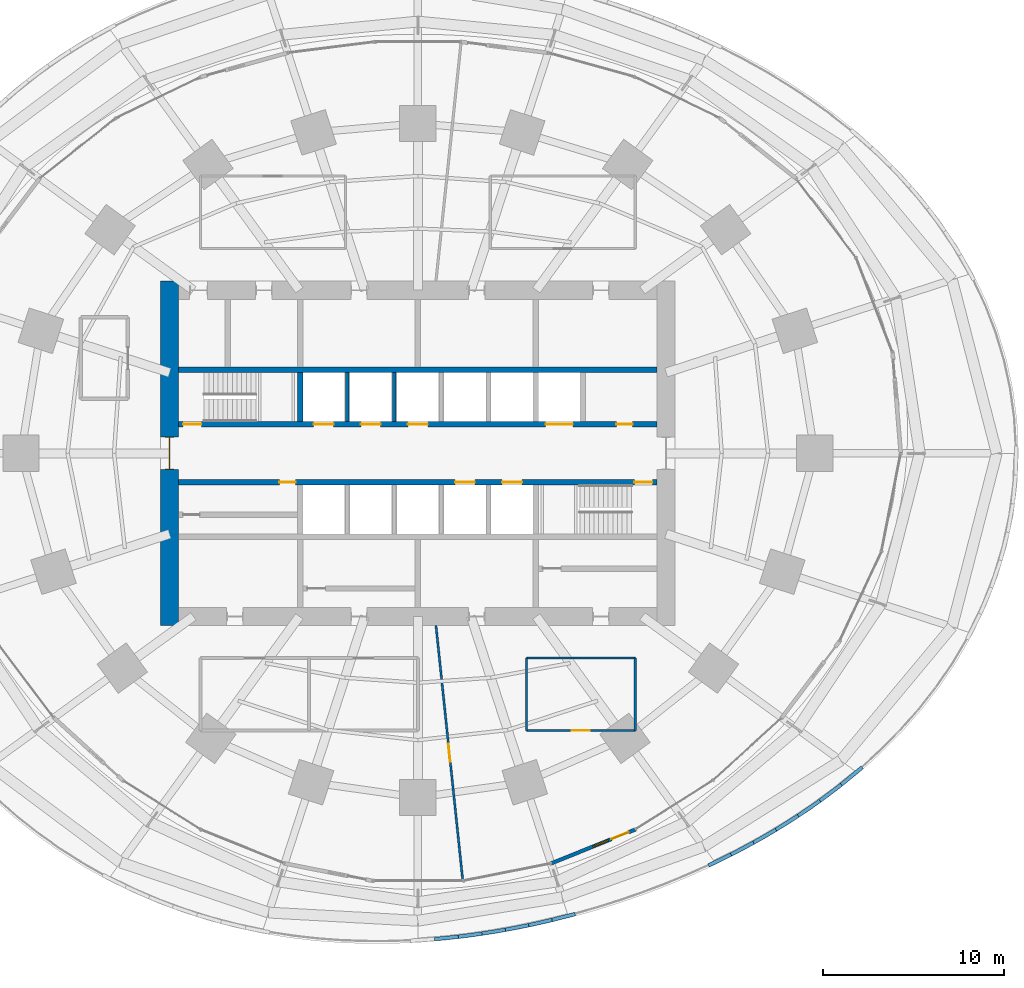
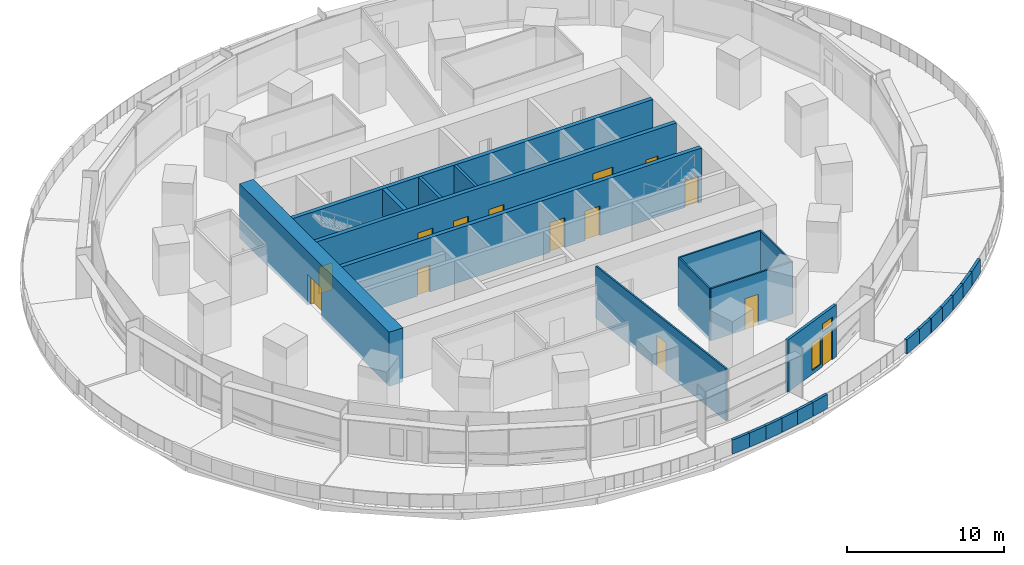
# One storey, part 13 of 20: 26 walls, 14 doors, 2 windows, 16 openings.
"""IFC4 building model written with IfcOpenShell, lengths in metres."""

from ifc_helpers import new_model, si_unit, direction, frame, frame_2d, origin, place, context, subcontext, project, spatial, rectangle, extrude, material, layer, layer_set, type_object, element, fill, save


model = new_model("IFC4")

# Units and contexts
model_context = context("Model", 3, precision=1e-05, world=origin(), true_north=direction((0.0, 1.0)))
body_context = subcontext(model_context, "Body", "Model", "MODEL_VIEW")
ifc_project = project(units=[si_unit("LENGTHUNIT", "METRE"), si_unit("AREAUNIT", "SQUARE_METRE"), si_unit("VOLUMEUNIT", "CUBIC_METRE"), si_unit("PLANEANGLEUNIT", "RADIAN"), si_unit("MASSUNIT", "GRAM", prefix="KILO")], contexts=[model_context])

# Site, building, storey
site_placement = place(None, origin())
site = spatial("IfcSite", under=ifc_project, at=site_placement, CompositionType="ELEMENT")
building_placement = place(site_placement, origin())
building = spatial("IfcBuilding", under=site, at=building_placement, Name="Marramba Exchange Tower", CompositionType="ELEMENT")
storey_placement = place(building_placement, frame((0.0, 0.0, 19.60009765625)))
storey = spatial("IfcBuildingStorey", under=building, at=storey_placement, Name="L04", CompositionType="ELEMENT", Elevation=19.60009765625)

# Walls
ifc_material_1 = material(Name="Concrete N50", Category="concrete")
ifc_layer_1 = layer(ifc_material_1, 0.199951171875)
ifc_layer_set_1 = layer_set([ifc_layer_1], Name="Core shaft wall 200")
wall_type_1 = type_object("IfcWallType", Name="Core shaft wall 200", PredefinedType="SHEAR", material=ifc_layer_set_1)
for number, where, z_axis, x_axis, name in (
    (1, (-3.89990234375, 1.75, 0.0), (0.0, 0.0, 1.0), (0.0, 1.0, 0.0), "Core wall SHN1 L04"),
    (2, (-1.300048828125, 1.75, 0.0), (0.0, 0.0, 1.0), (0.0, 1.0, 0.0), "Core wall SHN2 L04"),
):
    element("IfcWall", number, at=place(storey_placement, frame(where, z_axis=z_axis, x_axis=x_axis)), inside=storey, type_object=wall_type_1, Name=name, PredefinedType="SHEAR", context=body_context, shape_type="SweptSolid", body=[
        extrude(rectangle(XDim=2.699951171875, YDim=0.199951171875, at=frame_2d((1.35009765625, 0.0))), origin(), (0.0, 0.0, 1.0), 4.199951171875),
    ])

# Wall, opening, door
ifc_layer_2 = layer(ifc_material_1, 1.0)
ifc_layer_set_2 = layer_set([ifc_layer_2], Name="Core wall 1000")
wall_type_2 = type_object("IfcWallType", Name="Core wall 1000", PredefinedType="SHEAR", material=ifc_layer_set_2)
wall_1_placement = place(storey_placement, frame((-13.699951171875, 9.5, 0.0), z_axis=(0.0, 0.0, 1.0), x_axis=(0.0, -1.0, 0.0)))
wall_1 = element("IfcWall", 3, at=wall_1_placement, inside=storey, type_object=wall_type_2, Name="Core wall W L04", PredefinedType="SHEAR", context=body_context, shape_type="SweptSolid", body=[
    extrude(rectangle(XDim=19.0, YDim=1.0, at=frame_2d((9.5, 0.0))), origin(), (0.0, 0.0, 1.0), 4.199951171875),
])
opening_1_placement = place(wall_1_placement, frame((8.60009765625, 0.0, 0.0)))
opening_1 = element("IfcOpeningElement", 4, at=opening_1_placement, cuts=wall_1, Name="Opening D1", PredefinedType="OPENING", context=body_context, shape_type="SweptSolid", body=[
    extrude(rectangle(XDim=1.800048828125, YDim=2.39990234375, at=frame_2d((0.89990234375, 1.199951171875))), frame((0.0, 0.510009765625, 0.0), z_axis=(0.0, -1.0, 0.0), x_axis=(1.0, 0.0, 0.0)), (0.0, 0.0, 1.0), 1.02001953125),
])
ifc_material_2 = material(Name="Steel-framed door", Category="steel")
door_type_1 = type_object("IfcDoorType", Name="Lobby exit door 1800x2400", OperationType="DOUBLE_DOOR_SINGLE_SWING", PredefinedType="DOOR", material=ifc_material_2)
door_1_placement = place(opening_1_placement, origin())
door_1 = element("IfcDoor", 5, at=door_1_placement, inside=storey, type_object=door_type_1, Name="D1 lobby exit west L04", OperationType="DOUBLE_DOOR_SINGLE_SWING", OverallHeight=2.39990234375, OverallWidth=1.800048828125, PredefinedType="DOOR", context=body_context, shape_type="SweptSolid", body=[
    extrude(rectangle(XDim=1.719970703125, YDim=2.35986328125, at=frame_2d((0.89990234375, 1.179931640625))), frame((0.0, 0.02490234375, 0.0), z_axis=(0.0, -1.0, 0.0), x_axis=(1.0, 0.0, 0.0)), (0.0, 0.0, 1.0), 0.050048828125),
    extrude(rectangle(XDim=0.04, YDim=2.39990234375, at=frame_2d((0.02001953125, 1.199951171875))), frame((0.0, 0.25, 0.0), z_axis=(0.0, -1.0, 0.0), x_axis=(1.0, 0.0, 0.0)), (0.0, 0.0, 1.0), 0.5),
    extrude(rectangle(XDim=0.04, YDim=2.39990234375, at=frame_2d((1.780029296875, 1.199951171875))), frame((0.0, 0.25, 0.0), z_axis=(0.0, -1.0, 0.0), x_axis=(1.0, 0.0, 0.0)), (0.0, 0.0, 1.0), 0.5),
    extrude(rectangle(XDim=1.719970703125, YDim=0.04, at=frame_2d((0.89990234375, 2.3798828125))), frame((0.0, 0.25, 0.0), z_axis=(0.0, -1.0, 0.0), x_axis=(1.0, 0.0, 0.0)), (0.0, 0.0, 1.0), 0.5),
])
fill(opening_1, door_1)

# Wall, openings, doors
ifc_layer_3 = layer(ifc_material_1, 0.300048828125)
ifc_layer_set_3 = layer_set([ifc_layer_3], Name="Core wall 300")
wall_type_3 = type_object("IfcWallType", Name="Core wall 300", PredefinedType="SHEAR", material=ifc_layer_set_3)
wall_2_placement = place(storey_placement, frame((-13.199951171875, 1.60009765625, 0.0), z_axis=(0.0, 0.0, 1.0), x_axis=(1.0, 0.0, 0.0)))
wall_2 = element("IfcWall", 6, at=wall_2_placement, inside=storey, type_object=wall_type_3, Name="Core wall LN L04", PredefinedType="SHEAR", context=body_context, shape_type="SweptSolid", body=[
    extrude(rectangle(XDim=26.39990234375, YDim=0.300048828125, at=frame_2d((13.199951171875, 0.0))), origin(), (0.0, 0.0, 1.0), 4.199951171875),
])
opening_2_placement = place(wall_2_placement, frame((0.25, 0.0, 0.0)))
opening_2 = element("IfcOpeningElement", 7, at=opening_2_placement, cuts=wall_2, Name="Opening D2", PredefinedType="OPENING", context=body_context, shape_type="SweptSolid", body=[
    extrude(rectangle(XDim=1.0, YDim=2.10009765625, at=frame_2d((0.5, 1.050048828125))), frame((0.0, 0.159912109375, 0.0), z_axis=(0.0, -1.0, 0.0), x_axis=(1.0, 0.0, 0.0)), (0.0, 0.0, 1.0), 0.320068359375),
])
opening_3_placement = place(wall_2_placement, frame((20.25, 0.0, 0.0)))
opening_3 = element("IfcOpeningElement", 8, at=opening_3_placement, cuts=wall_2, Name="Opening LD3", PredefinedType="OPENING", context=body_context, shape_type="SweptSolid", body=[
    extrude(rectangle(XDim=1.5, YDim=2.39990234375, at=frame_2d((0.75, 1.199951171875))), frame((0.0, 0.159912109375, 0.0), z_axis=(0.0, -1.0, 0.0), x_axis=(1.0, 0.0, 0.0)), (0.0, 0.0, 1.0), 0.320068359375),
])
opening_4_placement = place(wall_2_placement, frame((7.449951171875, 0.0, 0.0)))
opening_4 = element("IfcOpeningElement", 9, at=opening_4_placement, cuts=wall_2, Name="Opening LD1", PredefinedType="OPENING", context=body_context, shape_type="SweptSolid", body=[
    extrude(rectangle(XDim=1.10009765625, YDim=2.300048828125, at=frame_2d((0.550048828125, 1.14990234375))), frame((0.0, 0.159912109375, 0.0), z_axis=(0.0, -1.0, 0.0), x_axis=(1.0, 0.0, 0.0)), (0.0, 0.0, 1.0), 0.320068359375),
])
opening_5_placement = place(wall_2_placement, frame((10.050048828125, 0.0, 0.0)))
opening_5 = element("IfcOpeningElement", 10, at=opening_5_placement, cuts=wall_2, Name="Opening LD1", PredefinedType="OPENING", context=body_context, shape_type="SweptSolid", body=[
    extrude(rectangle(XDim=1.10009765625, YDim=2.300048828125, at=frame_2d((0.550048828125, 1.14990234375))), frame((0.0, 0.159912109375, 0.0), z_axis=(0.0, -1.0, 0.0), x_axis=(1.0, 0.0, 0.0)), (0.0, 0.0, 1.0), 0.320068359375),
])
opening_6_placement = place(wall_2_placement, frame((12.64990234375, 0.0, 0.0)))
opening_6 = element("IfcOpeningElement", 11, at=opening_6_placement, cuts=wall_2, Name="Opening LD1", PredefinedType="OPENING", context=body_context, shape_type="SweptSolid", body=[
    extrude(rectangle(XDim=1.10009765625, YDim=2.300048828125, at=frame_2d((0.550048828125, 1.14990234375))), frame((0.0, 0.159912109375, 0.0), z_axis=(0.0, -1.0, 0.0), x_axis=(1.0, 0.0, 0.0)), (0.0, 0.0, 1.0), 0.320068359375),
])
opening_7_placement = place(wall_2_placement, frame((24.14990234375, 0.0, 0.0)))
opening_7 = element("IfcOpeningElement", 12, at=opening_7_placement, cuts=wall_2, Name="Opening D5", PredefinedType="OPENING", context=body_context, shape_type="SweptSolid", body=[
    extrude(rectangle(XDim=0.89990234375, YDim=2.10009765625, at=frame_2d((0.449951171875, 1.050048828125))), frame((0.0, 0.159912109375, 0.0), z_axis=(0.0, -1.0, 0.0), x_axis=(1.0, 0.0, 0.0)), (0.0, 0.0, 1.0), 0.320068359375),
])
door_type_2 = type_object("IfcDoorType", Name="Goods lift landing door 1500x2400", OperationType="SLIDING_TO_LEFT", PredefinedType="DOOR", material=ifc_material_2)
door_2_placement = place(opening_3_placement, origin())
door_2 = element("IfcDoor", 13, at=door_2_placement, inside=storey, type_object=door_type_2, Name="GL1 landing door L04", OperationType="SLIDING_TO_LEFT", OverallHeight=2.39990234375, OverallWidth=1.5, PredefinedType="DOOR", context=body_context, shape_type="SweptSolid", body=[
    extrude(rectangle(XDim=1.5, YDim=2.39990234375, at=frame_2d((0.75, 1.199951171875))), frame((0.0, 0.02490234375, 0.0), z_axis=(0.0, -1.0, 0.0), x_axis=(1.0, 0.0, 0.0)), (0.0, 0.0, 1.0), 0.050048828125),
])
fill(opening_3, door_2)
door_type_3 = type_object("IfcDoorType", Name="Lift landing door 1100x2300", OperationType="SLIDING_TO_LEFT", PredefinedType="DOOR", material=ifc_material_2)
door_3_placement = place(opening_4_placement, origin())
door_3 = element("IfcDoor", 14, at=door_3_placement, inside=storey, type_object=door_type_3, Name="LA1 landing door L04", OperationType="SLIDING_TO_LEFT", OverallHeight=2.300048828125, OverallWidth=1.10009765625, PredefinedType="DOOR", context=body_context, shape_type="SweptSolid", body=[
    extrude(rectangle(XDim=1.10009765625, YDim=2.300048828125, at=frame_2d((0.550048828125, 1.14990234375))), frame((0.0, 0.02490234375, 0.0), z_axis=(0.0, -1.0, 0.0), x_axis=(1.0, 0.0, 0.0)), (0.0, 0.0, 1.0), 0.050048828125),
])
fill(opening_4, door_3)
door_4_placement = place(opening_5_placement, origin())
door_4 = element("IfcDoor", 15, at=door_4_placement, inside=storey, type_object=door_type_3, Name="LA2 landing door L04", OperationType="SLIDING_TO_LEFT", OverallHeight=2.300048828125, OverallWidth=1.10009765625, PredefinedType="DOOR", context=body_context, shape_type="SweptSolid", body=[
    extrude(rectangle(XDim=1.10009765625, YDim=2.300048828125, at=frame_2d((0.550048828125, 1.14990234375))), frame((0.0, 0.02490234375, 0.0), z_axis=(0.0, -1.0, 0.0), x_axis=(1.0, 0.0, 0.0)), (0.0, 0.0, 1.0), 0.050048828125),
])
fill(opening_5, door_4)
door_5_placement = place(opening_6_placement, origin())
door_5 = element("IfcDoor", 16, at=door_5_placement, inside=storey, type_object=door_type_3, Name="LA3 landing door L04", OperationType="SLIDING_TO_RIGHT", OverallHeight=2.300048828125, OverallWidth=1.10009765625, PredefinedType="DOOR", context=body_context, shape_type="SweptSolid", body=[
    extrude(rectangle(XDim=1.10009765625, YDim=2.300048828125, at=frame_2d((0.550048828125, 1.14990234375))), frame((0.0, 0.02490234375, 0.0), z_axis=(0.0, -1.0, 0.0), x_axis=(1.0, 0.0, 0.0)), (0.0, 0.0, 1.0), 0.050048828125),
])
fill(opening_6, door_5)
door_type_4 = type_object("IfcDoorType", Name="Service door 900x2100", OperationType="SINGLE_SWING_LEFT", PredefinedType="DOOR", material=ifc_material_2)
door_6_placement = place(opening_7_placement, origin())
door_6 = element("IfcDoor", 17, at=door_6_placement, inside=storey, type_object=door_type_4, Name="D5 riser L04", OperationType="SINGLE_SWING_RIGHT", OverallHeight=2.10009765625, OverallWidth=0.89990234375, PredefinedType="DOOR", context=body_context, shape_type="SweptSolid", body=[
    extrude(rectangle(XDim=0.89990234375, YDim=2.10009765625, at=frame_2d((0.449951171875, 1.050048828125))), frame((0.0, 0.02490234375, 0.0), z_axis=(0.0, -1.0, 0.0), x_axis=(1.0, 0.0, 0.0)), (0.0, 0.0, 1.0), 0.050048828125),
])
fill(opening_7, door_6)
door_type_5 = type_object("IfcDoorType", Name="Stair door 1000x2100", OperationType="SINGLE_SWING_LEFT", PredefinedType="DOOR", material=ifc_material_2)
door_7_placement = place(opening_2_placement, origin())
door_7 = element("IfcDoor", 18, at=door_7_placement, inside=storey, type_object=door_type_5, Name="D2 stair ST1 L04", OperationType="SINGLE_SWING_LEFT", OverallHeight=2.10009765625, OverallWidth=1.0, PredefinedType="DOOR", context=body_context, shape_type="SweptSolid", body=[
    extrude(rectangle(XDim=1.0, YDim=2.10009765625, at=frame_2d((0.5, 1.050048828125))), frame((0.0, 0.02490234375, 0.0), z_axis=(0.0, -1.0, 0.0), x_axis=(1.0, 0.0, 0.0)), (0.0, 0.0, 1.0), 0.050048828125),
])
fill(opening_2, door_7)

wall_3_placement = place(storey_placement, frame((-13.199951171875, -1.60009765625, 0.0), z_axis=(0.0, 0.0, 1.0), x_axis=(1.0, 0.0, 0.0)))
wall_3 = element("IfcWall", 19, at=wall_3_placement, inside=storey, type_object=wall_type_3, Name="Core wall LS L04", PredefinedType="SHEAR", context=body_context, shape_type="SweptSolid", body=[
    extrude(rectangle(XDim=26.39990234375, YDim=0.300048828125, at=frame_2d((13.199951171875, 0.0))), origin(), (0.0, 0.0, 1.0), 4.199951171875),
])
opening_8_placement = place(wall_3_placement, frame((25.14990234375, 0.0, 0.0)))
opening_8 = element("IfcOpeningElement", 20, at=opening_8_placement, cuts=wall_3, Name="Opening D2", PredefinedType="OPENING", context=body_context, shape_type="SweptSolid", body=[
    extrude(rectangle(XDim=1.0, YDim=2.10009765625, at=frame_2d((0.5, 1.050048828125))), frame((0.0, 0.159912109375, 0.0), z_axis=(0.0, -1.0, 0.0), x_axis=(1.0, 0.0, 0.0)), (0.0, 0.0, 1.0), 0.320068359375),
])
opening_9_placement = place(wall_3_placement, frame((15.25, 0.0, 0.0)))
opening_9 = element("IfcOpeningElement", 21, at=opening_9_placement, cuts=wall_3, Name="Opening LD2", PredefinedType="OPENING", context=body_context, shape_type="SweptSolid", body=[
    extrude(rectangle(XDim=1.10009765625, YDim=2.300048828125, at=frame_2d((0.550048828125, 1.14990234375))), frame((0.0, 0.159912109375, 0.0), z_axis=(0.0, -1.0, 0.0), x_axis=(1.0, 0.0, 0.0)), (0.0, 0.0, 1.0), 0.320068359375),
])
opening_10_placement = place(wall_3_placement, frame((17.85009765625, 0.0, 0.0)))
opening_10 = element("IfcOpeningElement", 22, at=opening_10_placement, cuts=wall_3, Name="Opening LD2", PredefinedType="OPENING", context=body_context, shape_type="SweptSolid", body=[
    extrude(rectangle(XDim=1.10009765625, YDim=2.300048828125, at=frame_2d((0.550048828125, 1.14990234375))), frame((0.0, 0.159912109375, 0.0), z_axis=(0.0, -1.0, 0.0), x_axis=(1.0, 0.0, 0.0)), (0.0, 0.0, 1.0), 0.320068359375),
])
opening_11_placement = place(wall_3_placement, frame((5.550048828125, 0.0, 0.0)))
opening_11 = element("IfcOpeningElement", 23, at=opening_11_placement, cuts=wall_3, Name="Opening D5", PredefinedType="OPENING", context=body_context, shape_type="SweptSolid", body=[
    extrude(rectangle(XDim=0.89990234375, YDim=2.10009765625, at=frame_2d((0.449951171875, 1.050048828125))), frame((0.0, 0.159912109375, 0.0), z_axis=(0.0, -1.0, 0.0), x_axis=(1.0, 0.0, 0.0)), (0.0, 0.0, 1.0), 0.320068359375),
])
door_type_6 = type_object("IfcDoorType", Name="Emergency lift landing door 1100x2300", OperationType="SLIDING_TO_LEFT", PredefinedType="DOOR", material=ifc_material_2)
door_8_placement = place(opening_9_placement, frame((1.10009765625, 0.0, 0.0), z_axis=(0.0, 0.0, 1.0), x_axis=(-1.0, 0.0, 0.0)))
door_8 = element("IfcDoor", 24, at=door_8_placement, inside=storey, type_object=door_type_6, Name="FL1 landing door L04", OperationType="SLIDING_TO_RIGHT", OverallHeight=2.300048828125, OverallWidth=1.10009765625, PredefinedType="DOOR", context=body_context, shape_type="SweptSolid", body=[
    extrude(rectangle(XDim=1.10009765625, YDim=2.300048828125, at=frame_2d((0.550048828125, 1.14990234375))), frame((0.0, 0.025146484375, 0.0), z_axis=(0.0, -1.0, 0.0), x_axis=(1.0, 0.0, 0.0)), (0.0, 0.0, 1.0), 0.050048828125),
])
fill(opening_9, door_8)
door_9_placement = place(opening_10_placement, frame((1.10009765625, 0.0, 0.0), z_axis=(0.0, 0.0, 1.0), x_axis=(-1.0, 0.0, 0.0)))
door_9 = element("IfcDoor", 25, at=door_9_placement, inside=storey, type_object=door_type_6, Name="FL2 landing door L04", OperationType="SLIDING_TO_LEFT", OverallHeight=2.300048828125, OverallWidth=1.10009765625, PredefinedType="DOOR", context=body_context, shape_type="SweptSolid", body=[
    extrude(rectangle(XDim=1.10009765625, YDim=2.300048828125, at=frame_2d((0.550048828125, 1.14990234375))), frame((0.0, 0.025146484375, 0.0), z_axis=(0.0, -1.0, 0.0), x_axis=(1.0, 0.0, 0.0)), (0.0, 0.0, 1.0), 0.050048828125),
])
fill(opening_10, door_9)
door_10_placement = place(opening_11_placement, frame((0.89990234375, 0.0, 0.0), z_axis=(0.0, 0.0, 1.0), x_axis=(-1.0, 0.0, 0.0)))
door_10 = element("IfcDoor", 26, at=door_10_placement, inside=storey, type_object=door_type_4, Name="D5 electrical riser L04", OperationType="SINGLE_SWING_LEFT", OverallHeight=2.10009765625, OverallWidth=0.89990234375, PredefinedType="DOOR", context=body_context, shape_type="SweptSolid", body=[
    extrude(rectangle(XDim=0.89990234375, YDim=2.10009765625, at=frame_2d((0.449951171875, 1.050048828125))), frame((0.0, 0.025146484375, 0.0), z_axis=(0.0, -1.0, 0.0), x_axis=(1.0, 0.0, 0.0)), (0.0, 0.0, 1.0), 0.050048828125),
])
fill(opening_11, door_10)
door_11_placement = place(opening_8_placement, frame((1.0, 0.0, 0.0), z_axis=(0.0, 0.0, 1.0), x_axis=(-1.0, 0.0, 0.0)))
door_11 = element("IfcDoor", 27, at=door_11_placement, inside=storey, type_object=door_type_5, Name="D2 stair ST2 L04", OperationType="SINGLE_SWING_LEFT", OverallHeight=2.10009765625, OverallWidth=1.0, PredefinedType="DOOR", context=body_context, shape_type="SweptSolid", body=[
    extrude(rectangle(XDim=1.0, YDim=2.10009765625, at=frame_2d((0.5, 1.050048828125))), frame((0.0, 0.025146484375, 0.0), z_axis=(0.0, -1.0, 0.0), x_axis=(1.0, 0.0, 0.0)), (0.0, 0.0, 1.0), 0.050048828125),
])
fill(opening_8, door_11)

# Walls
wall_4_placement = place(storey_placement, frame((-13.199951171875, 4.60009765625, 0.0), z_axis=(0.0, 0.0, 1.0), x_axis=(1.0, 0.0, 0.0)))
element("IfcWall", 28, at=wall_4_placement, inside=storey, type_object=wall_type_3, Name="Core wall BN L04", PredefinedType="SHEAR", context=body_context, shape_type="SweptSolid", body=[
    extrude(rectangle(XDim=26.39990234375, YDim=0.300048828125, at=frame_2d((13.199951171875, 0.0))), origin(), (0.0, 0.0, 1.0), 4.199951171875),
])
wall_5_placement = place(storey_placement, frame((-6.5, 1.75, 0.0), z_axis=(0.0, 0.0, 1.0), x_axis=(0.0, 1.0, 0.0)))
element("IfcWall", 29, at=wall_5_placement, inside=storey, type_object=wall_type_3, Name="Core wall X0Na L04", PredefinedType="SHEAR", context=body_context, shape_type="SweptSolid", body=[
    extrude(rectangle(XDim=2.699951171875, YDim=0.300048828125, at=frame_2d((1.35009765625, 0.0))), origin(), (0.0, 0.0, 1.0), 4.199951171875),
])

# Wall, openings, door, windows
ifc_material_3 = material(Name="Aluminium-framed bronze cladding on steel studs", Category="steel")
ifc_layer_4 = layer(ifc_material_3, 0.199951171875)
ifc_layer_set_4 = layer_set([ifc_layer_4], Name="Door screen wall 200")
wall_type_4 = type_object("IfcWallType", Name="Door screen wall 200", PredefinedType="SOLIDWALL", material=ifc_layer_set_4)
wall_6_placement = place(storey_placement, frame((7.35498046875, -22.63623046875, 0.0), z_axis=(0.0, 0.0, 1.0), x_axis=(0.92734032011, 0.374219094513, 0.0)))
wall_6 = element("IfcWall", 30, at=wall_6_placement, inside=storey, type_object=wall_type_4, Name="Door screen L04 F25", PredefinedType="SOLIDWALL", context=body_context, shape_type="SweptSolid", body=[
    extrude(rectangle(XDim=4.997314453125, YDim=0.199951171875, at=frame_2d((2.49853515625, 0.0))), origin(), (0.0, 0.0, 1.0), 4.039794921875),
])
opening_12_placement = place(wall_6_placement, frame((3.597412109375, 0.0, 0.0)))
opening_12 = element("IfcOpeningElement", 31, at=opening_12_placement, cuts=wall_6, Name="Opening D6", PredefinedType="OPENING", context=body_context, shape_type="SweptSolid", body=[
    extrude(rectangle(XDim=1.0, YDim=2.39990234375, at=frame_2d((0.5, 1.199951171875))), frame((0.0, 0.10986328125, 0.0), z_axis=(0.0, -1.0, 0.0), x_axis=(1.0, 0.0, 0.0)), (0.0, 0.0, 1.0), 0.219970703125),
])
opening_13_placement = place(wall_6_placement, frame((2.49755859375, 0.0, 0.300048828125)))
opening_13 = element("IfcOpeningElement", 32, at=opening_13_placement, cuts=wall_6, Name="Opening W4", PredefinedType="OPENING", context=body_context, shape_type="SweptSolid", body=[
    extrude(rectangle(XDim=0.89990234375, YDim=2.10009765625, at=frame_2d((0.449951171875, 1.050048828125))), frame((0.0, 0.10986328125, 0.0), z_axis=(0.0, -1.0, 0.0), x_axis=(1.0, 0.0, 0.0)), (0.0, 0.0, 1.0), 0.219970703125),
])
opening_14_placement = place(wall_6_placement, frame((3.597412109375, 0.0, 2.699951171875)))
opening_14 = element("IfcOpeningElement", 33, at=opening_14_placement, cuts=wall_6, Name="Opening W5", PredefinedType="OPENING", context=body_context, shape_type="SweptSolid", body=[
    extrude(rectangle(XDim=1.0, YDim=0.60009765625, at=frame_2d((0.5, 0.300048828125))), frame((0.0, 0.10986328125, 0.0), z_axis=(0.0, -1.0, 0.0), x_axis=(1.0, 0.0, 0.0)), (0.0, 0.0, 1.0), 0.219970703125),
])
ifc_material_4 = material(Name="Aluminium-framed glazed door, bronze", Category="aluminium")
door_type_7 = type_object("IfcDoorType", Name="Terrace door 1000x2400", OperationType="SINGLE_SWING_LEFT", PredefinedType="DOOR", material=ifc_material_4)
door_12_placement = place(opening_12_placement, frame((1.0, 0.0, 0.0), z_axis=(0.0, 0.0, 1.0), x_axis=(-1.0, 0.0, 0.0)))
door_12 = element("IfcDoor", 34, at=door_12_placement, inside=storey, type_object=door_type_7, Name="D6 L04", OperationType="SINGLE_SWING_RIGHT", OverallHeight=2.39990234375, OverallWidth=1.0, PredefinedType="DOOR", context=body_context, shape_type="SweptSolid", body=[
    extrude(rectangle(XDim=1.0, YDim=2.39990234375, at=frame_2d((0.5, 1.199951171875))), frame((0.0, 0.025146484375, 0.0), z_axis=(0.0, -1.0, 0.0), x_axis=(1.0, 0.0, 0.0)), (0.0, 0.0, 1.0), 0.050048828125),
])
fill(opening_12, door_12)
ifc_material_5 = material(Name="Aluminium-framed fixed light, bronze, double glazed", Category="aluminium")
window_type_1 = type_object("IfcWindowType", Name="Terrace sidelight 900x2100", PartitioningType="SINGLE_PANEL", PredefinedType="WINDOW", material=ifc_material_5)
window_1_placement = place(opening_13_placement, origin())
window_1 = element("IfcWindow", 35, at=window_1_placement, inside=storey, type_object=window_type_1, Name="W4 L04 F25 left", OverallHeight=2.10009765625, OverallWidth=0.89990234375, PartitioningType="SINGLE_PANEL", PredefinedType="WINDOW", context=body_context, shape_type="SweptSolid", body=[
    extrude(rectangle(XDim=0.89990234375, YDim=2.10009765625, at=frame_2d((0.449951171875, 1.050048828125))), frame((0.0, 0.030029296875, 0.0), z_axis=(0.0, -1.0, 0.0), x_axis=(1.0, 0.0, 0.0)), (0.0, 0.0, 1.0), 0.06005859375),
])
fill(opening_13, window_1)
window_type_2 = type_object("IfcWindowType", Name="Terrace transom light 1000x600", PartitioningType="SINGLE_PANEL", PredefinedType="WINDOW", material=ifc_material_5)
window_2_placement = place(opening_14_placement, origin())
window_2 = element("IfcWindow", 36, at=window_2_placement, inside=storey, type_object=window_type_2, Name="W5 L04 F25 over the door", OverallHeight=0.60009765625, OverallWidth=1.0, PartitioningType="SINGLE_PANEL", PredefinedType="WINDOW", context=body_context, shape_type="SweptSolid", body=[
    extrude(rectangle(XDim=1.0, YDim=0.60009765625, at=frame_2d((0.5, 0.300048828125))), frame((0.0, 0.030029296875, 0.0), z_axis=(0.0, -1.0, 0.0), x_axis=(1.0, 0.0, 0.0)), (0.0, 0.0, 1.0), 0.06005859375),
])
fill(opening_14, window_2)

# Wall, opening, door
ifc_material_6 = material(Name="Plasterboard on steel studs", Category="steel")
ifc_layer_5 = layer(ifc_material_6, 0.1201171875)
ifc_layer_set_5 = layer_set([ifc_layer_5], Name="Partition 120")
wall_type_5 = type_object("IfcWallType", Name="Partition 120", PredefinedType="PARTITIONING", material=ifc_layer_set_5)
wall_7_placement = place(storey_placement, frame((2.47216796875, -23.5205078125, 0.0), z_axis=(0.0, 0.0, 1.0), x_axis=(-0.104529730385, 0.994521762188, 0.0)))
wall_7 = element("IfcWall", 37, at=wall_7_placement, inside=storey, type_object=wall_type_5, Name="Partition L04 06", PredefinedType="PARTITIONING", context=body_context, shape_type="SweptSolid", body=[
    extrude(rectangle(XDim=14.09765625, YDim=0.1201171875, at=frame_2d((7.048828125, 0.0))), origin(), (0.0, 0.0, 1.0), 4.039794921875),
])
opening_15_placement = place(wall_7_placement, frame((6.52392578125, 0.0, 0.0)))
opening_15 = element("IfcOpeningElement", 38, at=opening_15_placement, cuts=wall_7, Name="Opening D9", PredefinedType="OPENING", context=body_context, shape_type="SweptSolid", body=[
    extrude(rectangle(XDim=1.0, YDim=2.39990234375, at=frame_2d((0.5, 1.199951171875))), frame((0.0, 0.070068359375, 0.0), z_axis=(0.0, -1.0, 0.0), x_axis=(1.0, 0.0, 0.0)), (0.0, 0.0, 1.0), 0.14013671875),
])
ifc_material_7 = material(Name="Timber door", Category="wood")
door_type_8 = type_object("IfcDoorType", Name="Room door 1000x2400", OperationType="SINGLE_SWING_LEFT", PredefinedType="DOOR", material=ifc_material_7)
door_13_placement = place(opening_15_placement, frame((1.0, 0.0, 0.0), z_axis=(0.0, 0.0, 1.0), x_axis=(-1.0, 0.0, 0.0)))
door_13 = element("IfcDoor", 39, at=door_13_placement, inside=storey, type_object=door_type_8, Name="D9 Market Operations Office L04", OperationType="SINGLE_SWING_RIGHT", OverallHeight=2.39990234375, OverallWidth=1.0, PredefinedType="DOOR", context=body_context, shape_type="SweptSolid", body=[
    extrude(rectangle(XDim=1.0, YDim=2.39990234375, at=frame_2d((0.5, 1.199951171875))), frame((0.0, 0.025146484375, 0.0), z_axis=(0.0, -1.0, 0.0), x_axis=(1.0, 0.0, 0.0)), (0.0, 0.0, 1.0), 0.050048828125),
])
fill(opening_15, door_13)

# Wall
wall_8_placement = place(storey_placement, frame((6.0, -15.300048828125, 0.0), z_axis=(0.0, 0.0, 1.0), x_axis=(0.0, 1.0, 0.0)))
element("IfcWall", 40, at=wall_8_placement, inside=storey, type_object=wall_type_5, Name="Partition L04 07", PredefinedType="PARTITIONING", context=body_context, shape_type="SweptSolid", body=[
    extrude(rectangle(XDim=4.0, YDim=0.1201171875, at=frame_2d((2.0, 0.0))), origin(), (0.0, 0.0, 1.0), 4.039794921875),
])

# Wall, opening, door
wall_9_placement = place(storey_placement, frame((12.0, -15.300048828125, 0.0), z_axis=(0.0, 0.0, 1.0), x_axis=(-1.0, 0.0, 0.0)))
wall_9 = element("IfcWall", 41, at=wall_9_placement, inside=storey, type_object=wall_type_5, Name="Partition L04 08", PredefinedType="PARTITIONING", context=body_context, shape_type="SweptSolid", body=[
    extrude(rectangle(XDim=6.0, YDim=0.1201171875, at=frame_2d((3.0, 0.0))), origin(), (0.0, 0.0, 1.0), 4.039794921875),
])
opening_16_placement = place(wall_9_placement, frame((2.5, 0.0, 0.0)))
opening_16 = element("IfcOpeningElement", 42, at=opening_16_placement, cuts=wall_9, Name="Opening D9", PredefinedType="OPENING", context=body_context, shape_type="SweptSolid", body=[
    extrude(rectangle(XDim=1.0, YDim=2.39990234375, at=frame_2d((0.5, 1.199951171875))), frame((0.0, 0.070068359375, 0.0), z_axis=(0.0, -1.0, 0.0), x_axis=(1.0, 0.0, 0.0)), (0.0, 0.0, 1.0), 0.14013671875),
])
door_14_placement = place(opening_16_placement, frame((1.0, 0.0, 0.0), z_axis=(0.0, 0.0, 1.0), x_axis=(-1.0, 0.0, 0.0)))
door_14 = element("IfcDoor", 43, at=door_14_placement, inside=storey, type_object=door_type_8, Name="D9 Pantry L04", OperationType="SINGLE_SWING_RIGHT", OverallHeight=2.39990234375, OverallWidth=1.0, PredefinedType="DOOR", context=body_context, shape_type="SweptSolid", body=[
    extrude(rectangle(XDim=1.0, YDim=2.39990234375, at=frame_2d((0.5, 1.199951171875))), frame((0.0, 0.025146484375, 0.0), z_axis=(0.0, -1.0, 0.0), x_axis=(1.0, 0.0, 0.0)), (0.0, 0.0, 1.0), 0.050048828125),
])
fill(opening_16, door_14)

# Walls
wall_10_placement = place(storey_placement, frame((6.0, -11.300048828125, 0.0), z_axis=(0.0, 0.0, 1.0), x_axis=(1.0, 0.0, 0.0)))
element("IfcWall", 44, at=wall_10_placement, inside=storey, type_object=wall_type_5, Name="Partition L04 09", PredefinedType="PARTITIONING", context=body_context, shape_type="SweptSolid", body=[
    extrude(rectangle(XDim=6.0, YDim=0.1201171875, at=frame_2d((3.0, 0.0))), origin(), (0.0, 0.0, 1.0), 4.039794921875),
])
wall_11_placement = place(storey_placement, frame((12.0, -11.300048828125, 0.0), z_axis=(0.0, 0.0, 1.0), x_axis=(0.0, -1.0, 0.0)))
element("IfcWall", 45, at=wall_11_placement, inside=storey, type_object=wall_type_5, Name="Partition L04 10", PredefinedType="PARTITIONING", context=body_context, shape_type="SweptSolid", body=[
    extrude(rectangle(XDim=4.0, YDim=0.1201171875, at=frame_2d((2.0, 0.0))), origin(), (0.0, 0.0, 1.0), 4.039794921875),
])
ifc_material_8 = material(Name="Concrete N40", Category="concrete")
ifc_layer_6 = layer(ifc_material_8, 0.199951171875)
ifc_layer_set_6 = layer_set([ifc_layer_6], Name="Roof parapet 200")
wall_type_6 = type_object("IfcWallType", Name="Roof parapet 200", PredefinedType="PARAPET", material=ifc_layer_set_6)
wall_12_placement = place(storey_placement, frame((0.920166015625, -26.813720703125, 0.0), z_axis=(0.0, 0.0, 1.0), x_axis=(0.994998583121, 0.099889036376, 0.0)))
element("IfcWall", 46, at=wall_12_placement, inside=storey, type_object=wall_type_6, Name="Parapet L04 bay 16", PredefinedType="PARAPET", context=body_context, shape_type="SweptSolid", body=[
    extrude(rectangle(XDim=1.3173828125, YDim=0.199951171875, at=frame_2d((0.65869140625, 0.0))), origin(), (0.0, 0.0, 1.0), 1.099853515625),
])
wall_13_placement = place(storey_placement, frame((2.23095703125, -26.68212890625, 0.0), z_axis=(0.0, 0.0, 1.0), x_axis=(0.991291052058, 0.131689217896, 0.0)))
element("IfcWall", 47, at=wall_13_placement, inside=storey, type_object=wall_type_6, Name="Parapet L04 bay 16", PredefinedType="PARAPET", context=body_context, shape_type="SweptSolid", body=[
    extrude(rectangle(XDim=1.314453125, YDim=0.199951171875, at=frame_2d((0.6572265625, 0.0))), origin(), (0.0, 0.0, 1.0), 1.099853515625),
])
wall_14_placement = place(storey_placement, frame((3.533935546875, -26.509033203125, 0.0), z_axis=(0.0, 0.0, 1.0), x_axis=(0.986802839735, 0.161926389113, 0.0)))
element("IfcWall", 48, at=wall_14_placement, inside=storey, type_object=wall_type_6, Name="Parapet L04 bay 16", PredefinedType="PARAPET", context=body_context, shape_type="SweptSolid", body=[
    extrude(rectangle(XDim=1.313232421875, YDim=0.199951171875, at=frame_2d((0.65673828125, 0.0))), origin(), (0.0, 0.0, 1.0), 1.099853515625),
])
wall_15_placement = place(storey_placement, frame((4.829833984375, -26.29638671875, 0.0), z_axis=(0.0, 0.0, 1.0), x_axis=(0.981505925998, 0.191431756065, 0.0)))
element("IfcWall", 49, at=wall_15_placement, inside=storey, type_object=wall_type_6, Name="Parapet L04 bay 16", PredefinedType="PARAPET", context=body_context, shape_type="SweptSolid", body=[
    extrude(rectangle(XDim=1.313720703125, YDim=0.199951171875, at=frame_2d((0.65673828125, 0.0))), origin(), (0.0, 0.0, 1.0), 1.099853515625),
])
wall_16_placement = place(storey_placement, frame((6.119140625, -26.044921875, 0.0), z_axis=(0.0, 0.0, 1.0), x_axis=(0.975483423682, 0.220072920009, 0.0)))
element("IfcWall", 50, at=wall_16_placement, inside=storey, type_object=wall_type_6, Name="Parapet L04 bay 16", PredefinedType="PARAPET", context=body_context, shape_type="SweptSolid", body=[
    extrude(rectangle(XDim=1.315673828125, YDim=0.199951171875, at=frame_2d((0.65771484375, 0.0))), origin(), (0.0, 0.0, 1.0), 1.099853515625),
])
wall_17_placement = place(storey_placement, frame((7.402587890625, -25.75537109375, 0.0), z_axis=(0.0, 0.0, 1.0), x_axis=(0.96883368639, 0.247712107328, 0.0)))
element("IfcWall", 51, at=wall_17_placement, inside=storey, type_object=wall_type_6, Name="Parapet L04 bay 16", PredefinedType="PARAPET", context=body_context, shape_type="SweptSolid", body=[
    extrude(rectangle(XDim=1.319580078125, YDim=0.199951171875, at=frame_2d((0.65966796875, 0.0))), origin(), (0.0, 0.0, 1.0), 1.099853515625),
])
wall_18_placement = place(storey_placement, frame((16.038818359375, -22.75146484375, 0.0), z_axis=(0.0, 0.0, 1.0), x_axis=(0.899225744736, 0.437484925459, 0.0)))
element("IfcWall", 52, at=wall_18_placement, inside=storey, type_object=wall_type_6, Name="Parapet L04 bay 18", PredefinedType="PARAPET", context=body_context, shape_type="SweptSolid", body=[
    extrude(rectangle(XDim=1.388916015625, YDim=0.199951171875, at=frame_2d((0.6943359375, 0.0))), origin(), (0.0, 0.0, 1.0), 1.099853515625),
])
wall_19_placement = place(storey_placement, frame((17.287841796875, -22.143798828125, 0.0), z_axis=(0.0, 0.0, 1.0), x_axis=(0.883842797427, 0.467784041451, 0.0)))
element("IfcWall", 53, at=wall_19_placement, inside=storey, type_object=wall_type_6, Name="Parapet L04 bay 18", PredefinedType="PARAPET", context=body_context, shape_type="SweptSolid", body=[
    extrude(rectangle(XDim=1.406494140625, YDim=0.199951171875, at=frame_2d((0.703125, 0.0))), origin(), (0.0, 0.0, 1.0), 1.099853515625),
])
wall_20_placement = place(storey_placement, frame((18.531005859375, -21.48583984375, 0.0), z_axis=(0.0, 0.0, 1.0), x_axis=(0.866242649469, 0.499623530511, 0.0)))
element("IfcWall", 54, at=wall_20_placement, inside=storey, type_object=wall_type_6, Name="Parapet L04 bay 18", PredefinedType="PARAPET", context=body_context, shape_type="SweptSolid", body=[
    extrude(rectangle(XDim=1.42431640625, YDim=0.199951171875, at=frame_2d((0.712158203125, 0.0))), origin(), (0.0, 0.0, 1.0), 1.099853515625),
])
wall_21_placement = place(storey_placement, frame((19.764892578125, -20.774169921875, 0.0), z_axis=(0.0, 0.0, 1.0), x_axis=(0.846359917737, 0.532611387081, 0.0)))
element("IfcWall", 55, at=wall_21_placement, inside=storey, type_object=wall_type_6, Name="Parapet L04 bay 18", PredefinedType="PARAPET", context=body_context, shape_type="SweptSolid", body=[
    extrude(rectangle(XDim=1.443359375, YDim=0.199951171875, at=frame_2d((0.7216796875, 0.0))), origin(), (0.0, 0.0, 1.0), 1.099853515625),
])
wall_22_placement = place(storey_placement, frame((20.986572265625, -20.00537109375, 0.0), z_axis=(0.0, 0.0, 1.0), x_axis=(0.823817760083, 0.566854741686, 0.0)))
element("IfcWall", 56, at=wall_22_placement, inside=storey, type_object=wall_type_6, Name="Parapet L04 bay 18", PredefinedType="PARAPET", context=body_context, shape_type="SweptSolid", body=[
    extrude(rectangle(XDim=1.462158203125, YDim=0.199951171875, at=frame_2d((0.73095703125, 0.0))), origin(), (0.0, 0.0, 1.0), 1.099853515625),
])
wall_23_placement = place(storey_placement, frame((22.191162109375, -19.176513671875, 0.0), z_axis=(0.0, 0.0, 1.0), x_axis=(0.798196626548, 0.6023969998, 0.0)))
element("IfcWall", 57, at=wall_23_placement, inside=storey, type_object=wall_type_6, Name="Parapet L04 bay 18", PredefinedType="PARAPET", context=body_context, shape_type="SweptSolid", body=[
    extrude(rectangle(XDim=1.481201171875, YDim=0.199951171875, at=frame_2d((0.74072265625, 0.0))), origin(), (0.0, 0.0, 1.0), 1.099853515625),
])
wall_24_placement = place(storey_placement, frame((23.37353515625, -18.2841796875, 0.0), z_axis=(0.0, 0.0, 1.0), x_axis=(0.769367614336, 0.638806288331, 0.0)))
element("IfcWall", 58, at=wall_24_placement, inside=storey, type_object=wall_type_6, Name="Parapet L04 bay 18", PredefinedType="PARAPET", context=body_context, shape_type="SweptSolid", body=[
    extrude(rectangle(XDim=1.499755859375, YDim=0.199951171875, at=frame_2d((0.75, 0.0))), origin(), (0.0, 0.0, 1.0), 1.099853515625),
])

save(model, "model.ifc")
